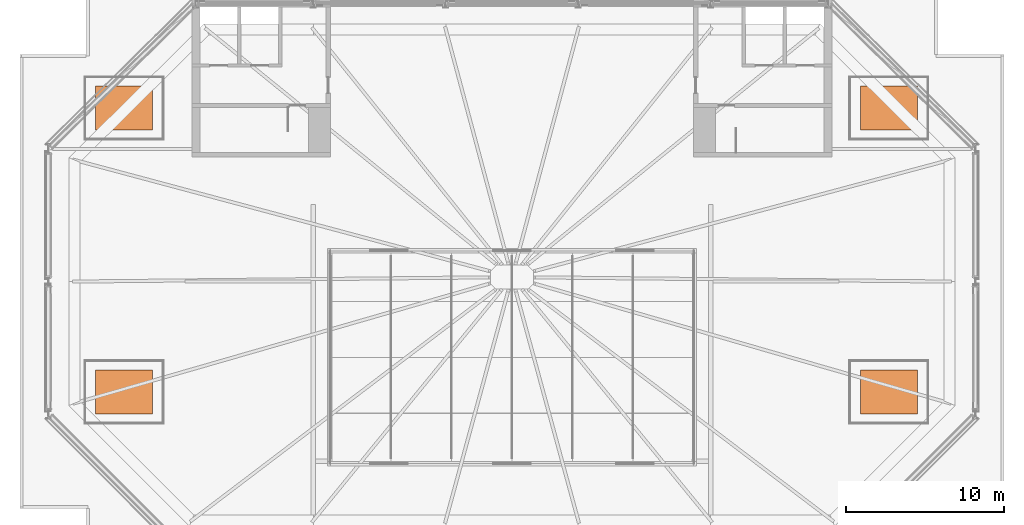
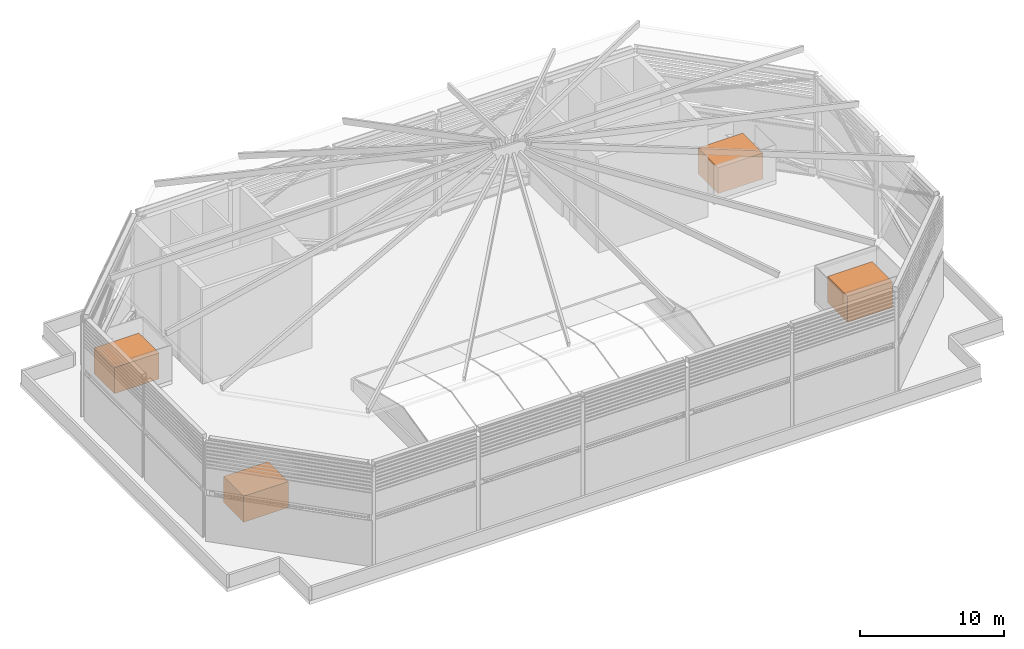
# One storey, part 22 of 22: 4 proxies.
"""IFC4 building model written with IfcOpenShell, lengths in metres."""

from ifc_helpers import new_model, si_unit, direction, frame, origin, origin_2d, place, context, subcontext, project, spatial, rectangle, extrude, element, save


model = new_model("IFC4")

# Units and contexts
model_context = context("Model", 3, precision=1e-05, world=origin(), true_north=direction((0.0, 1.0)))
body_context = subcontext(model_context, "Body", "Model", "MODEL_VIEW")
ifc_project = project(units=[si_unit("LENGTHUNIT", "METRE"), si_unit("AREAUNIT", "SQUARE_METRE"), si_unit("VOLUMEUNIT", "CUBIC_METRE"), si_unit("PLANEANGLEUNIT", "RADIAN"), si_unit("MASSUNIT", "GRAM", prefix="KILO")], contexts=[model_context])

# Site, building, storey
site_placement = place(None, origin())
site = spatial("IfcSite", under=ifc_project, at=site_placement, CompositionType="ELEMENT")
building_placement = place(site_placement, origin())
building = spatial("IfcBuilding", under=site, at=building_placement, Name="Saffron Gate Tower", CompositionType="ELEMENT")
storey_placement = place(building_placement, frame((0.0, 0.0, 314.85009765625)))
storey = spatial("IfcBuildingStorey", under=building, at=storey_placement, Name="Roof crown", CompositionType="ELEMENT", Elevation=314.85009765625)

# Proxies
for number, where, z_axis, x_axis, name in (
    (1, (63.0, 50.0, 0.2998046875), (0.0, 0.0, 1.0), (1.0, 0.0, 0.0), "PLANT cooling unit"),
    (2, (63.0, 68.0, 0.2998046875), (0.0, 0.0, 1.0), (1.0, 0.0, 0.0), "PLANT cooling unit"),
    (3, (111.5, 50.0, 0.2998046875), (0.0, 0.0, 1.0), (1.0, 0.0, 0.0), "PLANT cooling unit"),
    (4, (111.5, 68.0, 0.2998046875), (0.0, 0.0, 1.0), (1.0, 0.0, 0.0), "PLANT cooling unit"),
):
    element("IfcBuildingElementProxy", number, at=place(storey_placement, frame(where, z_axis=z_axis, x_axis=x_axis)), inside=storey, Name=name, ObjectType="PLANT cooling unit", PredefinedType="USERDEFINED", context=body_context, shape_type="SweptSolid", body=[
        extrude(rectangle(XDim=3.60009765625, YDim=2.800048828125, at=origin_2d()), origin(), (0.0, 0.0, 1.0), 2.199951171875),
    ])

save(model, "model.ifc")
